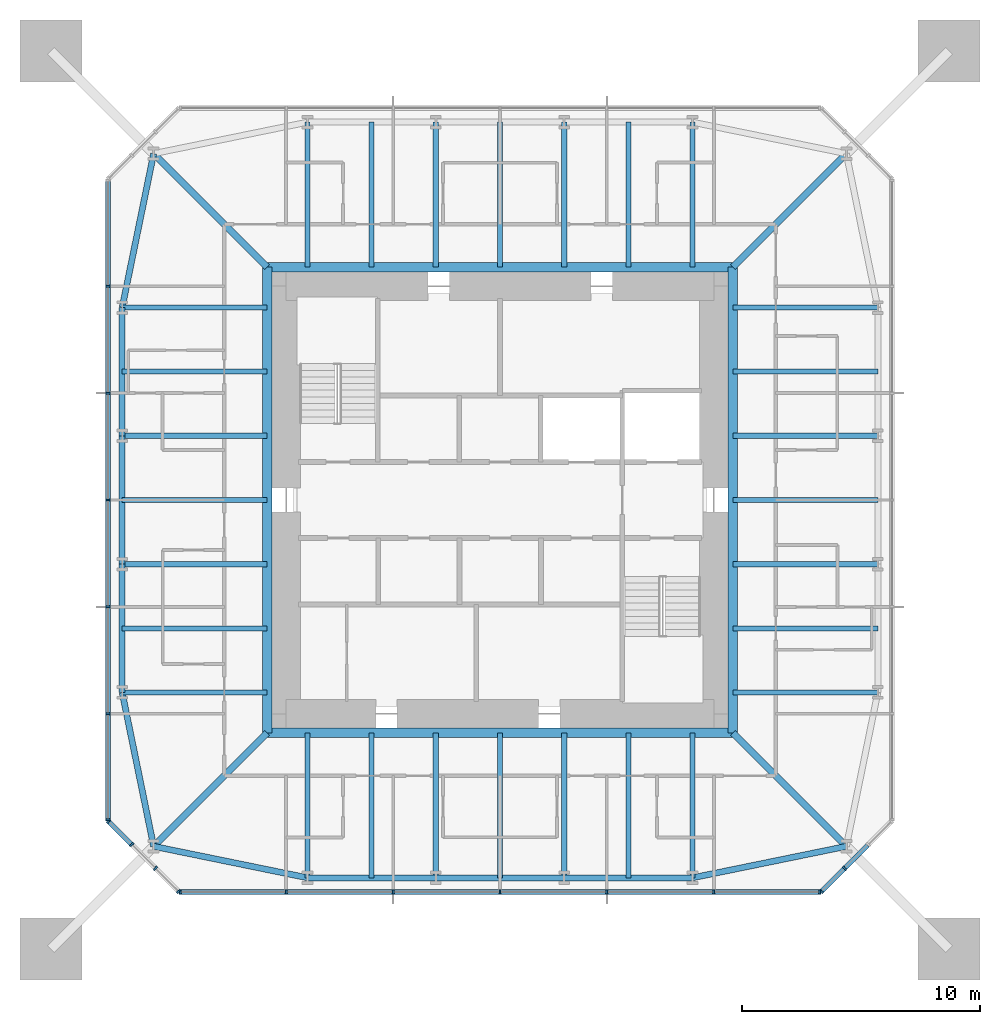
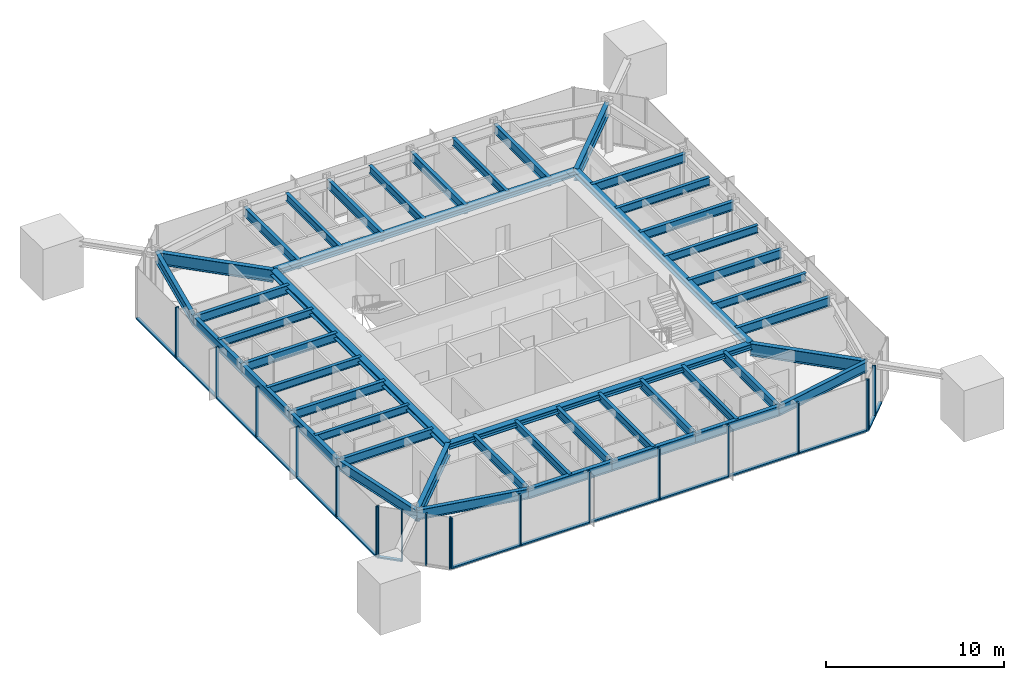
# One storey, part 2 of 10: 46 beams, 34 members, 4 elements without a shape of their own.
"""IFC4 building model written with IfcOpenShell, lengths in metres."""

from ifc_helpers import new_model, si_unit, direction, frame, origin, origin_2d, place, context, subcontext, project, spatial, rectangle, i_section, extrude, material, material_profile, profile_set, type_object, element, aggregate, save


model = new_model("IFC4")

# Units and contexts
model_context = context("Model", 3, precision=1e-05, world=origin(), true_north=direction((0.0, 1.0)))
body_context = subcontext(model_context, "Body", "Model", "MODEL_VIEW")
ifc_project = project(units=[si_unit("LENGTHUNIT", "METRE"), si_unit("AREAUNIT", "SQUARE_METRE"), si_unit("VOLUMEUNIT", "CUBIC_METRE"), si_unit("PLANEANGLEUNIT", "RADIAN"), si_unit("MASSUNIT", "GRAM", prefix="KILO")], contexts=[model_context])

# Site, building, storey
site_placement = place(None, origin())
site = spatial("IfcSite", under=ifc_project, at=site_placement, CompositionType="ELEMENT")
building_placement = place(site_placement, origin())
building = spatial("IfcBuilding", under=site, at=building_placement, Name="Iwan Alto Co-Living Towers", CompositionType="ELEMENT")
storey_placement = place(building_placement, frame((0.0, 0.0, 225.5)))
storey = spatial("IfcBuildingStorey", under=building, at=storey_placement, Name="L61", CompositionType="ELEMENT", Elevation=225.5)

# Curtain wall, members
ifc_material_1 = material(Name="Bronze aluminium unitised frame", Category="aluminium")
curtain_wall_type_1 = type_object("IfcCurtainWallType", Name="CURTAIN WALL CW-A", PredefinedType="NOTDEFINED", material=ifc_material_1)
curtain_wall_1_placement = place(storey_placement, origin())
curtain_wall_1 = element("IfcCurtainWall", 1, at=curtain_wall_1_placement, inside=storey, type_object=curtain_wall_type_1, Name="T1 curtain wall S L61", PredefinedType="NOTDEFINED")
ifc_material_2 = material(Name="Aluminium 6063-T6 bronze anodised", Category="aluminium")
ifc_material_profile_1 = material_profile(ifc_material_2, rectangle(XDim=0.199951171875, YDim=0.080078125, at=origin_2d()), Name="AL 80X200")
ifc_profile_set_1 = profile_set([ifc_material_profile_1], Name="Aluminium 6063-T6 bronze anodised")
member_type_1 = type_object("IfcMemberType", Name="CW-A MULLION 80X200", PredefinedType="MULLION", material=ifc_profile_set_1)
member_1_placement = place(storey_placement, frame((-13.4599609375, -16.5, 0.0), z_axis=(0.0, 0.0, 1.0), x_axis=(0.0, 1.0, 0.0)))
member_1 = element("IfcMember", 2, at=member_1_placement, type_object=member_type_1, Name="CW-A mullion 1", PredefinedType="MULLION", context=body_context, shape_type="SweptSolid", body=[
    extrude(rectangle(XDim=0.199951171875, YDim=0.080078125, at=origin_2d()), origin(), (0.0, 0.0, 1.0), 3.5),
])
member_2_placement = place(storey_placement, frame((-9.0, -16.5, 0.0), z_axis=(0.0, 0.0, 1.0), x_axis=(0.0, 1.0, 0.0)))
member_2 = element("IfcMember", 3, at=member_2_placement, type_object=member_type_1, Name="CW-A mullion 2", PredefinedType="MULLION", context=body_context, shape_type="SweptSolid", body=[
    extrude(rectangle(XDim=0.199951171875, YDim=0.080078125, at=origin_2d()), origin(), (0.0, 0.0, 1.0), 3.5),
])
member_3_placement = place(storey_placement, frame((-4.5, -16.5, 0.0), z_axis=(0.0, 0.0, 1.0), x_axis=(0.0, 1.0, 0.0)))
member_3 = element("IfcMember", 4, at=member_3_placement, type_object=member_type_1, Name="CW-A mullion 3", PredefinedType="MULLION", context=body_context, shape_type="SweptSolid", body=[
    extrude(rectangle(XDim=0.199951171875, YDim=0.080078125, at=origin_2d()), origin(), (0.0, 0.0, 1.0), 3.5),
])
member_4_placement = place(storey_placement, frame((0.0, -16.5, 0.0), z_axis=(0.0, 0.0, 1.0), x_axis=(0.0, 1.0, 0.0)))
member_4 = element("IfcMember", 5, at=member_4_placement, type_object=member_type_1, Name="CW-A mullion 4", PredefinedType="MULLION", context=body_context, shape_type="SweptSolid", body=[
    extrude(rectangle(XDim=0.199951171875, YDim=0.080078125, at=origin_2d()), origin(), (0.0, 0.0, 1.0), 3.5),
])
member_5_placement = place(storey_placement, frame((4.5, -16.5, 0.0), z_axis=(0.0, 0.0, 1.0), x_axis=(0.0, 1.0, 0.0)))
member_5 = element("IfcMember", 6, at=member_5_placement, type_object=member_type_1, Name="CW-A mullion 5", PredefinedType="MULLION", context=body_context, shape_type="SweptSolid", body=[
    extrude(rectangle(XDim=0.199951171875, YDim=0.080078125, at=origin_2d()), origin(), (0.0, 0.0, 1.0), 3.5),
])
member_6_placement = place(storey_placement, frame((9.0, -16.5, 0.0), z_axis=(0.0, 0.0, 1.0), x_axis=(0.0, 1.0, 0.0)))
member_6 = element("IfcMember", 7, at=member_6_placement, type_object=member_type_1, Name="CW-A mullion 6", PredefinedType="MULLION", context=body_context, shape_type="SweptSolid", body=[
    extrude(rectangle(XDim=0.199951171875, YDim=0.080078125, at=origin_2d()), origin(), (0.0, 0.0, 1.0), 3.5),
])
member_7_placement = place(storey_placement, frame((13.4599609375, -16.5, 0.0), z_axis=(0.0, 0.0, 1.0), x_axis=(0.0, 1.0, 0.0)))
member_7 = element("IfcMember", 8, at=member_7_placement, type_object=member_type_1, Name="CW-A mullion 7", PredefinedType="MULLION", context=body_context, shape_type="SweptSolid", body=[
    extrude(rectangle(XDim=0.199951171875, YDim=0.080078125, at=origin_2d()), origin(), (0.0, 0.0, 1.0), 3.5),
])

curtain_wall_2_placement = place(storey_placement, origin())
curtain_wall_2 = element("IfcCurtainWall", 9, at=curtain_wall_2_placement, inside=storey, type_object=curtain_wall_type_1, Name="T1 curtain wall W L61", PredefinedType="NOTDEFINED")
member_8_placement = place(storey_placement, frame((-16.5, 9.0, 0.0), z_axis=(0.0, 0.0, 1.0), x_axis=(1.0, 0.0, 0.0)))
member_8 = element("IfcMember", 10, at=member_8_placement, type_object=member_type_1, Name="CW-A mullion 2", PredefinedType="MULLION", context=body_context, shape_type="SweptSolid", body=[
    extrude(rectangle(XDim=0.199951171875, YDim=0.080078125, at=origin_2d()), origin(), (0.0, 0.0, 1.0), 3.5),
])
member_9_placement = place(storey_placement, frame((-16.5, 4.5, 0.0), z_axis=(0.0, 0.0, 1.0), x_axis=(1.0, 0.0, 0.0)))
member_9 = element("IfcMember", 11, at=member_9_placement, type_object=member_type_1, Name="CW-A mullion 3", PredefinedType="MULLION", context=body_context, shape_type="SweptSolid", body=[
    extrude(rectangle(XDim=0.199951171875, YDim=0.080078125, at=origin_2d()), origin(), (0.0, 0.0, 1.0), 3.5),
])
member_10_placement = place(storey_placement, frame((-16.5, 0.0, 0.0), z_axis=(0.0, 0.0, 1.0), x_axis=(1.0, 0.0, 0.0)))
member_10 = element("IfcMember", 12, at=member_10_placement, type_object=member_type_1, Name="CW-A mullion 4", PredefinedType="MULLION", context=body_context, shape_type="SweptSolid", body=[
    extrude(rectangle(XDim=0.199951171875, YDim=0.080078125, at=origin_2d()), origin(), (0.0, 0.0, 1.0), 3.5),
])
member_11_placement = place(storey_placement, frame((-16.5, -4.5, 0.0), z_axis=(0.0, 0.0, 1.0), x_axis=(1.0, 0.0, 0.0)))
member_11 = element("IfcMember", 13, at=member_11_placement, type_object=member_type_1, Name="CW-A mullion 5", PredefinedType="MULLION", context=body_context, shape_type="SweptSolid", body=[
    extrude(rectangle(XDim=0.199951171875, YDim=0.080078125, at=origin_2d()), origin(), (0.0, 0.0, 1.0), 3.5),
])
member_12_placement = place(storey_placement, frame((-16.5, -9.0, 0.0), z_axis=(0.0, 0.0, 1.0), x_axis=(1.0, 0.0, 0.0)))
member_12 = element("IfcMember", 14, at=member_12_placement, type_object=member_type_1, Name="CW-A mullion 6", PredefinedType="MULLION", context=body_context, shape_type="SweptSolid", body=[
    extrude(rectangle(XDim=0.199951171875, YDim=0.080078125, at=origin_2d()), origin(), (0.0, 0.0, 1.0), 3.5),
])
member_13_placement = place(storey_placement, frame((-16.5, -13.4599609375, 0.0), z_axis=(0.0, 0.0, 1.0), x_axis=(1.0, 0.0, 0.0)))
member_13 = element("IfcMember", 15, at=member_13_placement, type_object=member_type_1, Name="CW-A mullion 7", PredefinedType="MULLION", context=body_context, shape_type="SweptSolid", body=[
    extrude(rectangle(XDim=0.199951171875, YDim=0.080078125, at=origin_2d()), origin(), (0.0, 0.0, 1.0), 3.5),
])

# Member
ifc_material_3 = material(Name="Aluminium 6063-T6 bronze anodised", Category="aluminium")
ifc_material_profile_2 = material_profile(ifc_material_3, rectangle(XDim=0.199951171875, YDim=0.10009765625, at=origin_2d()), Name="AL 200X100")
ifc_profile_set_2 = profile_set([ifc_material_profile_2], Name="Aluminium 6063-T6 bronze anodised")
member_type_2 = type_object("IfcMemberType", Name="CW-A TRANSOM 200X100", PredefinedType="USERDEFINED", material=ifc_profile_set_2)
member_14_placement = place(storey_placement, frame((-13.419921875, -16.5, 0.050048828125), z_axis=(1.0, 0.0, 0.0), x_axis=(0.0, 1.0, 0.0)))
member_14 = element("IfcMember", 16, at=member_14_placement, type_object=member_type_2, Name="CW-A transom 1.1", ObjectType="TRANSOM", PredefinedType="USERDEFINED", context=body_context, shape_type="SweptSolid", body=[
    extrude(rectangle(XDim=0.199951171875, YDim=0.10009765625, at=origin_2d()), origin(), (0.0, 0.0, 1.0), 4.3798828125),
])

member_15_placement = place(storey_placement, frame((-8.9599609375, -16.5, 0.050048828125), z_axis=(1.0, 0.0, 0.0), x_axis=(0.0, 1.0, 0.0)))
member_15 = element("IfcMember", 17, at=member_15_placement, type_object=member_type_2, Name="CW-A transom 2.1", ObjectType="TRANSOM", PredefinedType="USERDEFINED", context=body_context, shape_type="SweptSolid", body=[
    extrude(rectangle(XDim=0.199951171875, YDim=0.10009765625, at=origin_2d()), origin(), (0.0, 0.0, 1.0), 4.419921875),
])

member_16_placement = place(storey_placement, frame((-4.4599609375, -16.5, 0.050048828125), z_axis=(1.0, 0.0, 0.0), x_axis=(0.0, 1.0, 0.0)))
member_16 = element("IfcMember", 18, at=member_16_placement, type_object=member_type_2, Name="CW-A transom 3.1", ObjectType="TRANSOM", PredefinedType="USERDEFINED", context=body_context, shape_type="SweptSolid", body=[
    extrude(rectangle(XDim=0.199951171875, YDim=0.10009765625, at=origin_2d()), origin(), (0.0, 0.0, 1.0), 4.419921875),
])

member_17_placement = place(storey_placement, frame((0.0400390625, -16.5, 0.050048828125), z_axis=(1.0, 0.0, 0.0), x_axis=(0.0, 1.0, 0.0)))
member_17 = element("IfcMember", 19, at=member_17_placement, type_object=member_type_2, Name="CW-A transom 4.1", ObjectType="TRANSOM", PredefinedType="USERDEFINED", context=body_context, shape_type="SweptSolid", body=[
    extrude(rectangle(XDim=0.199951171875, YDim=0.10009765625, at=origin_2d()), origin(), (0.0, 0.0, 1.0), 4.419921875),
])

member_18_placement = place(storey_placement, frame((4.5400390625, -16.5, 0.050048828125), z_axis=(1.0, 0.0, 0.0), x_axis=(0.0, 1.0, 0.0)))
member_18 = element("IfcMember", 20, at=member_18_placement, type_object=member_type_2, Name="CW-A transom 5.1", ObjectType="TRANSOM", PredefinedType="USERDEFINED", context=body_context, shape_type="SweptSolid", body=[
    extrude(rectangle(XDim=0.199951171875, YDim=0.10009765625, at=origin_2d()), origin(), (0.0, 0.0, 1.0), 4.419921875),
])

member_19_placement = place(storey_placement, frame((9.0400390625, -16.5, 0.050048828125), z_axis=(1.0, 0.0, 0.0), x_axis=(0.0, 1.0, 0.0)))
member_19 = element("IfcMember", 21, at=member_19_placement, type_object=member_type_2, Name="CW-A transom 6.1", ObjectType="TRANSOM", PredefinedType="USERDEFINED", context=body_context, shape_type="SweptSolid", body=[
    extrude(rectangle(XDim=0.199951171875, YDim=0.10009765625, at=origin_2d()), origin(), (0.0, 0.0, 1.0), 4.3798828125),
])

aggregate(curtain_wall_1, [member_1, member_2, member_3, member_4, member_5, member_6, member_7, member_14, member_15, member_16, member_17, member_18, member_19])

member_20_placement = place(storey_placement, frame((-16.5, 13.419921875, 0.050048828125), z_axis=(0.0, -1.0, 0.0), x_axis=(1.0, 0.0, 0.0)))
member_20 = element("IfcMember", 22, at=member_20_placement, type_object=member_type_2, Name="CW-A transom 1.1", ObjectType="TRANSOM", PredefinedType="USERDEFINED", context=body_context, shape_type="SweptSolid", body=[
    extrude(rectangle(XDim=0.199951171875, YDim=0.10009765625, at=origin_2d()), origin(), (0.0, 0.0, 1.0), 4.3798828125),
])

member_21_placement = place(storey_placement, frame((-16.5, 8.9599609375, 0.050048828125), z_axis=(0.0, -1.0, 0.0), x_axis=(1.0, 0.0, 0.0)))
member_21 = element("IfcMember", 23, at=member_21_placement, type_object=member_type_2, Name="CW-A transom 2.1", ObjectType="TRANSOM", PredefinedType="USERDEFINED", context=body_context, shape_type="SweptSolid", body=[
    extrude(rectangle(XDim=0.199951171875, YDim=0.10009765625, at=origin_2d()), origin(), (0.0, 0.0, 1.0), 4.419921875),
])

member_22_placement = place(storey_placement, frame((-16.5, 4.4599609375, 0.050048828125), z_axis=(0.0, -1.0, 0.0), x_axis=(1.0, 0.0, 0.0)))
member_22 = element("IfcMember", 24, at=member_22_placement, type_object=member_type_2, Name="CW-A transom 3.1", ObjectType="TRANSOM", PredefinedType="USERDEFINED", context=body_context, shape_type="SweptSolid", body=[
    extrude(rectangle(XDim=0.199951171875, YDim=0.10009765625, at=origin_2d()), origin(), (0.0, 0.0, 1.0), 4.419921875),
])

member_23_placement = place(storey_placement, frame((-16.5, -0.0400390625, 0.050048828125), z_axis=(0.0, -1.0, 0.0), x_axis=(1.0, 0.0, 0.0)))
member_23 = element("IfcMember", 25, at=member_23_placement, type_object=member_type_2, Name="CW-A transom 4.1", ObjectType="TRANSOM", PredefinedType="USERDEFINED", context=body_context, shape_type="SweptSolid", body=[
    extrude(rectangle(XDim=0.199951171875, YDim=0.10009765625, at=origin_2d()), origin(), (0.0, 0.0, 1.0), 4.419921875),
])

member_24_placement = place(storey_placement, frame((-16.5, -4.5400390625, 0.050048828125), z_axis=(0.0, -1.0, 0.0), x_axis=(1.0, 0.0, 0.0)))
member_24 = element("IfcMember", 26, at=member_24_placement, type_object=member_type_2, Name="CW-A transom 5.1", ObjectType="TRANSOM", PredefinedType="USERDEFINED", context=body_context, shape_type="SweptSolid", body=[
    extrude(rectangle(XDim=0.199951171875, YDim=0.10009765625, at=origin_2d()), origin(), (0.0, 0.0, 1.0), 4.419921875),
])

member_25_placement = place(storey_placement, frame((-16.5, -9.0400390625, 0.050048828125), z_axis=(0.0, -1.0, 0.0), x_axis=(1.0, 0.0, 0.0)))
member_25 = element("IfcMember", 27, at=member_25_placement, type_object=member_type_2, Name="CW-A transom 6.1", ObjectType="TRANSOM", PredefinedType="USERDEFINED", context=body_context, shape_type="SweptSolid", body=[
    extrude(rectangle(XDim=0.199951171875, YDim=0.10009765625, at=origin_2d()), origin(), (0.0, 0.0, 1.0), 4.3798828125),
])

aggregate(curtain_wall_2, [member_8, member_9, member_10, member_11, member_12, member_13, member_20, member_21, member_22, member_23, member_24, member_25])

# Curtain wall, members
ifc_material_4 = material(Name="Bronze aluminium unitised frame", Category="aluminium")
curtain_wall_type_2 = type_object("IfcCurtainWallType", Name="CURTAIN WALL CW-B", PredefinedType="NOTDEFINED", material=ifc_material_4)
curtain_wall_3_placement = place(storey_placement, origin())
curtain_wall_3 = element("IfcCurtainWall", 28, at=curtain_wall_3_placement, inside=storey, type_object=curtain_wall_type_2, Name="T1 chamfer curtain wall SE L61", PredefinedType="NOTDEFINED")
ifc_material_5 = material(Name="Aluminium 6063-T6 bronze anodised", Category="aluminium")
ifc_material_profile_3 = material_profile(ifc_material_5, rectangle(XDim=0.199951171875, YDim=0.080078125, at=origin_2d()), Name="AL 80X200")
ifc_profile_set_3 = profile_set([ifc_material_profile_3], Name="Aluminium 6063-T6 bronze anodised")
member_type_3 = type_object("IfcMemberType", Name="CW-B MULLION 80X200", PredefinedType="MULLION", material=ifc_profile_set_3)
member_26_placement = place(storey_placement, frame((13.5283203125, -16.4716796875, 0.0), z_axis=(0.0, 0.0, 1.0), x_axis=(-0.707106781187, 0.707106781187, 0.0)))
member_26 = element("IfcMember", 29, at=member_26_placement, type_object=member_type_3, Name="CW-B mullion 1", PredefinedType="MULLION", context=body_context, shape_type="SweptSolid", body=[
    extrude(rectangle(XDim=0.199951171875, YDim=0.080078125, at=origin_2d()), origin(), (0.0, 0.0, 1.0), 3.5),
])
member_27_placement = place(storey_placement, frame((14.5, -15.5, 0.0), z_axis=(0.0, 0.0, 1.0), x_axis=(-0.707106781187, 0.707106781187, 0.0)))
member_27 = element("IfcMember", 30, at=member_27_placement, type_object=member_type_3, Name="CW-B mullion 2", PredefinedType="MULLION", context=body_context, shape_type="SweptSolid", body=[
    extrude(rectangle(XDim=0.199951171875, YDim=0.080078125, at=origin_2d()), origin(), (0.0, 0.0, 1.0), 3.5),
])

curtain_wall_4_placement = place(storey_placement, origin())
curtain_wall_4 = element("IfcCurtainWall", 31, at=curtain_wall_4_placement, inside=storey, type_object=curtain_wall_type_2, Name="T1 chamfer curtain wall SW L61", PredefinedType="NOTDEFINED")
member_28_placement = place(storey_placement, frame((-16.4716796875, -13.5283203125, 0.0), z_axis=(0.0, 0.0, 1.0), x_axis=(0.707106781187, 0.707106781187, 0.0)))
member_28 = element("IfcMember", 32, at=member_28_placement, type_object=member_type_3, Name="CW-B mullion 1", PredefinedType="MULLION", context=body_context, shape_type="SweptSolid", body=[
    extrude(rectangle(XDim=0.199951171875, YDim=0.080078125, at=origin_2d()), origin(), (0.0, 0.0, 1.0), 3.5),
])
member_29_placement = place(storey_placement, frame((-15.5, -14.5, 0.0), z_axis=(0.0, 0.0, 1.0), x_axis=(0.707106781187, 0.707106781187, 0.0)))
member_29 = element("IfcMember", 33, at=member_29_placement, type_object=member_type_3, Name="CW-B mullion 2", PredefinedType="MULLION", context=body_context, shape_type="SweptSolid", body=[
    extrude(rectangle(XDim=0.199951171875, YDim=0.080078125, at=origin_2d()), origin(), (0.0, 0.0, 1.0), 3.5),
])
member_30_placement = place(storey_placement, frame((-14.5, -15.5, 0.0), z_axis=(0.0, 0.0, 1.0), x_axis=(0.707106781187, 0.707106781187, 0.0)))
member_30 = element("IfcMember", 34, at=member_30_placement, type_object=member_type_3, Name="CW-B mullion 3", PredefinedType="MULLION", context=body_context, shape_type="SweptSolid", body=[
    extrude(rectangle(XDim=0.199951171875, YDim=0.080078125, at=origin_2d()), origin(), (0.0, 0.0, 1.0), 3.5),
])
member_31_placement = place(storey_placement, frame((-13.5283203125, -16.4716796875, 0.0), z_axis=(0.0, 0.0, 1.0), x_axis=(0.707106781187, 0.707106781187, 0.0)))
member_31 = element("IfcMember", 35, at=member_31_placement, type_object=member_type_3, Name="CW-B mullion 4", PredefinedType="MULLION", context=body_context, shape_type="SweptSolid", body=[
    extrude(rectangle(XDim=0.199951171875, YDim=0.080078125, at=origin_2d()), origin(), (0.0, 0.0, 1.0), 3.5),
])

# Member
ifc_material_6 = material(Name="Aluminium 6063-T6 bronze anodised", Category="aluminium")
ifc_material_profile_4 = material_profile(ifc_material_6, rectangle(XDim=0.199951171875, YDim=0.10009765625, at=origin_2d()), Name="AL 200X100")
ifc_profile_set_4 = profile_set([ifc_material_profile_4], Name="Aluminium 6063-T6 bronze anodised")
member_type_4 = type_object("IfcMemberType", Name="CW-B TRANSOM 200X100", PredefinedType="USERDEFINED", material=ifc_profile_set_4)
member_32_placement = place(storey_placement, frame((13.556640625, -16.443359375, 0.050048828125), z_axis=(0.707106781187, 0.707106781187, 0.0), x_axis=(-0.707106781187, 0.707106781187, 0.0)))
member_32 = element("IfcMember", 36, at=member_32_placement, type_object=member_type_4, Name="CW-B transom 1.1", ObjectType="TRANSOM", PredefinedType="USERDEFINED", context=body_context, shape_type="SweptSolid", body=[
    extrude(rectangle(XDim=0.199951171875, YDim=0.10009765625, at=origin_2d()), origin(), (0.0, 0.0, 1.0), 1.2939453125),
])

member_33_placement = place(storey_placement, frame((14.5283203125, -15.4716796875, 0.050048828125), z_axis=(0.707106781187, 0.707106781187, 0.0), x_axis=(-0.707106781187, 0.707106781187, 0.0)))
member_33 = element("IfcMember", 37, at=member_33_placement, type_object=member_type_4, Name="CW-B transom 2.1", ObjectType="TRANSOM", PredefinedType="USERDEFINED", context=body_context, shape_type="SweptSolid", body=[
    extrude(rectangle(XDim=0.199951171875, YDim=0.10009765625, at=origin_2d()), origin(), (0.0, 0.0, 1.0), 1.334228515625),
])

aggregate(curtain_wall_3, [member_26, member_27, member_32, member_33])

member_34_placement = place(storey_placement, frame((-16.443359375, -13.556640625, 0.050048828125), z_axis=(0.707106781187, -0.707106781187, 0.0), x_axis=(0.707106781187, 0.707106781187, 0.0)))
member_34 = element("IfcMember", 38, at=member_34_placement, type_object=member_type_4, Name="CW-B transom 1.1", ObjectType="TRANSOM", PredefinedType="USERDEFINED", context=body_context, shape_type="SweptSolid", body=[
    extrude(rectangle(XDim=0.199951171875, YDim=0.10009765625, at=origin_2d()), origin(), (0.0, 0.0, 1.0), 1.2939453125),
])

aggregate(curtain_wall_4, [member_28, member_29, member_30, member_31, member_34])

# Beams
ifc_material_7 = material(Name="Steel ASTM A992 Gr 50", Category="steel")
ifc_material_profile_5 = material_profile(ifc_material_7, i_section(OverallWidth=0.398681640625, OverallDepth=0.385986328125, WebThickness=0.02099609375, FlangeThickness=0.033203125, at=origin_2d()), Name="W14X176")
ifc_profile_set_5 = profile_set([ifc_material_profile_5], Name="Steel ASTM A992 Gr 50")
beam_type_1 = type_object("IfcBeamType", Name="T1 CORE LEDGER BEAM W14X176", PredefinedType="BEAM", material=ifc_profile_set_5)
for number, where, z_axis, x_axis, name in (
    (39, (-9.79931640625, -9.79931640625, 3.076904296875), (1.0, 0.0, 0.0), (0.0, 1.0, 0.0), "T1 core ledger beam S L62"),
    (40, (9.79931640625, -9.79931640625, 3.076904296875), (0.0, 1.0, 0.0), (-1.0, 0.0, 0.0), "T1 core ledger beam E L62"),
    (41, (9.79931640625, 9.79931640625, 3.076904296875), (-1.0, 0.0, 0.0), (0.0, -1.0, 0.0), "T1 core ledger beam N L62"),
    (42, (-9.79931640625, 9.79931640625, 3.076904296875), (0.0, -1.0, 0.0), (1.0, 0.0, 0.0), "T1 core ledger beam W L62"),
):
    element("IfcBeam", number, at=place(storey_placement, frame(where, z_axis=z_axis, x_axis=x_axis)), inside=storey, type_object=beam_type_1, Name=name, PredefinedType="BEAM", context=body_context, shape_type="SweptSolid", body=[
        extrude(i_section(OverallWidth=0.398681640625, OverallDepth=0.385986328125, WebThickness=0.02099609375, FlangeThickness=0.033203125, at=origin_2d()), origin(), (0.0, 0.0, 1.0), 19.5986328125),
    ])
ifc_material_8 = material(Name="Steel ASTM A992 Gr 50", Category="steel")
ifc_material_profile_6 = material_profile(ifc_material_8, i_section(OverallWidth=0.2919921875, OverallDepth=0.8408203125, WebThickness=0.0146484375, FlangeThickness=0.021728515625, at=origin_2d()), Name="W33X130")
ifc_profile_set_6 = profile_set([ifc_material_profile_6], Name="Steel ASTM A992 Gr 50")
beam_type_2 = type_object("IfcBeamType", Name="T1 CORNER GIRDER W33X130", PredefinedType="BEAM", material=ifc_profile_set_6)
for number, where, z_axis, x_axis, name in (
    (43, (-14.57568359375, -14.57568359375, 2.849609375), (0.707106781187, 0.707106781187, 0.0), (-0.707106781187, 0.707106781187, 0.0), "T1 corner girder CSW L62"),
    (44, (14.57568359375, -14.57568359375, 2.849609375), (-0.707106781187, 0.707106781187, 0.0), (-0.707106781187, -0.707106781187, 0.0), "T1 corner girder CSE L62"),
    (45, (14.57568359375, 14.57568359375, 2.849609375), (-0.707106781187, -0.707106781187, 0.0), (0.707106781187, -0.707106781187, 0.0), "T1 corner girder CNE L62"),
    (46, (-14.57568359375, 14.57568359375, 2.849609375), (0.707106781187, -0.707106781187, 0.0), (0.707106781187, 0.707106781187, 0.0), "T1 corner girder CNW L62"),
):
    element("IfcBeam", number, at=place(storey_placement, frame(where, z_axis=z_axis, x_axis=x_axis)), inside=storey, type_object=beam_type_2, Name=name, PredefinedType="BEAM", context=body_context, shape_type="SweptSolid", body=[
        extrude(i_section(OverallWidth=0.2919921875, OverallDepth=0.8408203125, WebThickness=0.0146484375, FlangeThickness=0.021728515625, at=origin_2d()), origin(), (0.0, 0.0, 1.0), 6.7548828125),
    ])
ifc_material_9 = material(Name="Steel ASTM A992 Gr 50", Category="steel")
ifc_material_profile_7 = material_profile(ifc_material_9, i_section(OverallWidth=0.25390625, OverallDepth=0.683349609375, WebThickness=0.012451171875, FlangeThickness=0.018798828125, at=origin_2d()), Name="W27X94")
ifc_profile_set_7 = profile_set([ifc_material_profile_7], Name="Steel ASTM A992 Gr 50")
beam_type_3 = type_object("IfcBeamType", Name="T1 EDGE BEAM W27X94", PredefinedType="BEAM", material=ifc_profile_set_7)
beam_1_placement = place(storey_placement, frame((-14.57568359375, -14.57568359375, 2.928466796875), z_axis=(0.979724820103, -0.200347889618, 0.0), x_axis=(0.200347889618, 0.979724820103, 0.0)))
element("IfcBeam", 47, at=beam_1_placement, inside=storey, type_object=beam_type_3, Name="T1 edge beam CSW L62", PredefinedType="BEAM", context=body_context, shape_type="SweptSolid", body=[
    extrude(i_section(OverallWidth=0.25390625, OverallDepth=0.683349609375, WebThickness=0.012451171875, FlangeThickness=0.018798828125, at=origin_2d()), origin(), (0.0, 0.0, 1.0), 6.609619140625),
])
beam_2_placement = place(storey_placement, frame((-8.10009765625, -15.89990234375, 2.928466796875), z_axis=(1.0, 0.0, 0.0), x_axis=(0.0, 1.0, 0.0)))
element("IfcBeam", 48, at=beam_2_placement, inside=storey, type_object=beam_type_3, Name="T1 edge beam S1 L62", PredefinedType="BEAM", context=body_context, shape_type="SweptSolid", body=[
    extrude(i_section(OverallWidth=0.25390625, OverallDepth=0.683349609375, WebThickness=0.012451171875, FlangeThickness=0.018798828125, at=origin_2d()), origin(), (0.0, 0.0, 1.0), 5.400146484375),
])
beam_3_placement = place(storey_placement, frame((-2.699951171875, -15.89990234375, 2.928466796875), z_axis=(1.0, 0.0, 0.0), x_axis=(0.0, 1.0, 0.0)))
element("IfcBeam", 49, at=beam_3_placement, inside=storey, type_object=beam_type_3, Name="T1 edge beam S2 L62", PredefinedType="BEAM", context=body_context, shape_type="SweptSolid", body=[
    extrude(i_section(OverallWidth=0.25390625, OverallDepth=0.683349609375, WebThickness=0.012451171875, FlangeThickness=0.018798828125, at=origin_2d()), origin(), (0.0, 0.0, 1.0), 5.39990234375),
])
beam_4_placement = place(storey_placement, frame((2.699951171875, -15.89990234375, 2.928466796875), z_axis=(1.0, 0.0, 0.0), x_axis=(0.0, 1.0, 0.0)))
element("IfcBeam", 50, at=beam_4_placement, inside=storey, type_object=beam_type_3, Name="T1 edge beam S3 L62", PredefinedType="BEAM", context=body_context, shape_type="SweptSolid", body=[
    extrude(i_section(OverallWidth=0.25390625, OverallDepth=0.683349609375, WebThickness=0.012451171875, FlangeThickness=0.018798828125, at=origin_2d()), origin(), (0.0, 0.0, 1.0), 5.400146484375),
])
for number, where, z_axis, x_axis, name in (
    (51, (8.10009765625, -15.89990234375, 2.928466796875), (0.979724820103, 0.200347889618, 0.0), (-0.200347889618, 0.979724820103, 0.0), "T1 edge beam S4 L62"),
    (52, (-14.57568359375, 14.57568359375, 2.928466796875), (-0.200347889618, -0.979724820103, 0.0), (0.979724820103, -0.200347889618, 0.0), "T1 edge beam CNW L62"),
):
    element("IfcBeam", number, at=place(storey_placement, frame(where, z_axis=z_axis, x_axis=x_axis)), inside=storey, type_object=beam_type_3, Name=name, PredefinedType="BEAM", context=body_context, shape_type="SweptSolid", body=[
        extrude(i_section(OverallWidth=0.25390625, OverallDepth=0.683349609375, WebThickness=0.012451171875, FlangeThickness=0.018798828125, at=origin_2d()), origin(), (0.0, 0.0, 1.0), 6.609619140625),
    ])
beam_5_placement = place(storey_placement, frame((-15.89990234375, 8.10009765625, 2.928466796875), z_axis=(0.0, -1.0, 0.0), x_axis=(1.0, 0.0, 0.0)))
element("IfcBeam", 53, at=beam_5_placement, inside=storey, type_object=beam_type_3, Name="T1 edge beam W1 L62", PredefinedType="BEAM", context=body_context, shape_type="SweptSolid", body=[
    extrude(i_section(OverallWidth=0.25390625, OverallDepth=0.683349609375, WebThickness=0.012451171875, FlangeThickness=0.018798828125, at=origin_2d()), origin(), (0.0, 0.0, 1.0), 5.400146484375),
])
beam_6_placement = place(storey_placement, frame((-15.89990234375, 2.699951171875, 2.928466796875), z_axis=(0.0, -1.0, 0.0), x_axis=(1.0, 0.0, 0.0)))
element("IfcBeam", 54, at=beam_6_placement, inside=storey, type_object=beam_type_3, Name="T1 edge beam W2 L62", PredefinedType="BEAM", context=body_context, shape_type="SweptSolid", body=[
    extrude(i_section(OverallWidth=0.25390625, OverallDepth=0.683349609375, WebThickness=0.012451171875, FlangeThickness=0.018798828125, at=origin_2d()), origin(), (0.0, 0.0, 1.0), 5.39990234375),
])
beam_7_placement = place(storey_placement, frame((-15.89990234375, -2.699951171875, 2.928466796875), z_axis=(0.0, -1.0, 0.0), x_axis=(1.0, 0.0, 0.0)))
element("IfcBeam", 55, at=beam_7_placement, inside=storey, type_object=beam_type_3, Name="T1 edge beam W3 L62", PredefinedType="BEAM", context=body_context, shape_type="SweptSolid", body=[
    extrude(i_section(OverallWidth=0.25390625, OverallDepth=0.683349609375, WebThickness=0.012451171875, FlangeThickness=0.018798828125, at=origin_2d()), origin(), (0.0, 0.0, 1.0), 5.400146484375),
])
beam_8_placement = place(storey_placement, frame((-15.89990234375, -8.10009765625, 2.928466796875), z_axis=(0.200347889618, -0.979724820103, 0.0), x_axis=(0.979724820103, 0.200347889618, 0.0)))
element("IfcBeam", 56, at=beam_8_placement, inside=storey, type_object=beam_type_3, Name="T1 edge beam W4 L62", PredefinedType="BEAM", context=body_context, shape_type="SweptSolid", body=[
    extrude(i_section(OverallWidth=0.25390625, OverallDepth=0.683349609375, WebThickness=0.012451171875, FlangeThickness=0.018798828125, at=origin_2d()), origin(), (0.0, 0.0, 1.0), 6.609619140625),
])
ifc_material_10 = material(Name="Steel ASTM A992 Gr 50", Category="steel")
ifc_material_profile_8 = material_profile(ifc_material_10, i_section(OverallWidth=0.228271484375, OverallDepth=0.607177734375, WebThickness=0.01123046875, FlangeThickness=0.017333984375, at=origin_2d()), Name="W24X76")
ifc_profile_set_8 = profile_set([ifc_material_profile_8], Name="Steel ASTM A992 Gr 50")
beam_type_4 = type_object("IfcBeamType", Name="T1 RADIAL BEAM W24X76", PredefinedType="BEAM", material=ifc_profile_set_8)
for number, where, z_axis, x_axis, name in (
    (57, (-8.10009765625, -15.89990234375, 2.966552734375), (0.0, 1.0, 0.0), (-1.0, 0.0, 0.0), "T1 radial beam S1 L62"),
    (58, (-2.699951171875, -15.89990234375, 2.966552734375), (0.0, 1.0, 0.0), (-1.0, 0.0, 0.0), "T1 radial beam S2 L62"),
    (59, (2.699951171875, -15.89990234375, 2.966552734375), (0.0, 1.0, 0.0), (-1.0, 0.0, 0.0), "T1 radial beam S3 L62"),
    (60, (8.10009765625, -15.89990234375, 2.966552734375), (0.0, 1.0, 0.0), (-1.0, 0.0, 0.0), "T1 radial beam S4 L62"),
    (61, (15.89990234375, -8.10009765625, 2.966552734375), (-1.0, 0.0, 0.0), (0.0, -1.0, 0.0), "T1 radial beam E1 L62"),
    (62, (15.89990234375, -2.699951171875, 2.966552734375), (-1.0, 0.0, 0.0), (0.0, -1.0, 0.0), "T1 radial beam E2 L62"),
    (63, (15.89990234375, 2.699951171875, 2.966552734375), (-1.0, 0.0, 0.0), (0.0, -1.0, 0.0), "T1 radial beam E3 L62"),
    (64, (15.89990234375, 8.10009765625, 2.966552734375), (-1.0, 0.0, 0.0), (0.0, -1.0, 0.0), "T1 radial beam E4 L62"),
    (65, (8.10009765625, 15.89990234375, 2.966552734375), (0.0, -1.0, 0.0), (1.0, 0.0, 0.0), "T1 radial beam N1 L62"),
    (66, (2.699951171875, 15.89990234375, 2.966552734375), (0.0, -1.0, 0.0), (1.0, 0.0, 0.0), "T1 radial beam N2 L62"),
    (67, (-2.699951171875, 15.89990234375, 2.966552734375), (0.0, -1.0, 0.0), (1.0, 0.0, 0.0), "T1 radial beam N3 L62"),
    (68, (-8.10009765625, 15.89990234375, 2.966552734375), (0.0, -1.0, 0.0), (1.0, 0.0, 0.0), "T1 radial beam N4 L62"),
    (69, (-15.89990234375, 8.10009765625, 2.966552734375), (1.0, 0.0, 0.0), (0.0, 1.0, 0.0), "T1 radial beam W1 L62"),
    (70, (-15.89990234375, 2.699951171875, 2.966552734375), (1.0, 0.0, 0.0), (0.0, 1.0, 0.0), "T1 radial beam W2 L62"),
    (71, (-15.89990234375, -2.699951171875, 2.966552734375), (1.0, 0.0, 0.0), (0.0, 1.0, 0.0), "T1 radial beam W3 L62"),
    (72, (-15.89990234375, -8.10009765625, 2.966552734375), (1.0, 0.0, 0.0), (0.0, 1.0, 0.0), "T1 radial beam W4 L62"),
):
    element("IfcBeam", number, at=place(storey_placement, frame(where, z_axis=z_axis, x_axis=x_axis)), inside=storey, type_object=beam_type_4, Name=name, PredefinedType="BEAM", context=body_context, shape_type="SweptSolid", body=[
        extrude(i_section(OverallWidth=0.228271484375, OverallDepth=0.607177734375, WebThickness=0.01123046875, FlangeThickness=0.017333984375, at=origin_2d()), origin(), (0.0, 0.0, 1.0), 6.1005859375),
    ])
ifc_material_11 = material(Name="Steel ASTM A992 Gr 50", Category="steel")
ifc_material_profile_9 = material_profile(ifc_material_11, i_section(OverallWidth=0.209228515625, OverallDepth=0.533447265625, WebThickness=0.01025390625, FlangeThickness=0.015625, at=origin_2d()), Name="W21X62")
ifc_profile_set_9 = profile_set([ifc_material_profile_9], Name="Steel ASTM A992 Gr 50")
beam_type_5 = type_object("IfcBeamType", Name="T1 SECONDARY BEAM W21X62", PredefinedType="JOIST", material=ifc_profile_set_9)
for number, where, z_axis, x_axis, name in (
    (73, (-5.39990234375, -15.89990234375, 3.00341796875), (0.0, 1.0, 0.0), (-1.0, 0.0, 0.0), "T1 secondary beam S1 L62"),
    (74, (0.0, -15.89990234375, 3.00341796875), (0.0, 1.0, 0.0), (-1.0, 0.0, 0.0), "T1 secondary beam S2 L62"),
    (75, (5.39990234375, -15.89990234375, 3.00341796875), (0.0, 1.0, 0.0), (-1.0, 0.0, 0.0), "T1 secondary beam S3 L62"),
    (76, (15.89990234375, -5.39990234375, 3.00341796875), (-1.0, 0.0, 0.0), (0.0, -1.0, 0.0), "T1 secondary beam E1 L62"),
    (77, (15.89990234375, 0.0, 3.00341796875), (-1.0, 0.0, 0.0), (0.0, -1.0, 0.0), "T1 secondary beam E2 L62"),
    (78, (15.89990234375, 5.39990234375, 3.00341796875), (-1.0, 0.0, 0.0), (0.0, -1.0, 0.0), "T1 secondary beam E3 L62"),
    (79, (5.39990234375, 15.89990234375, 3.00341796875), (0.0, -1.0, 0.0), (1.0, 0.0, 0.0), "T1 secondary beam N1 L62"),
    (80, (0.0, 15.89990234375, 3.00341796875), (0.0, -1.0, 0.0), (1.0, 0.0, 0.0), "T1 secondary beam N2 L62"),
    (81, (-5.39990234375, 15.89990234375, 3.00341796875), (0.0, -1.0, 0.0), (1.0, 0.0, 0.0), "T1 secondary beam N3 L62"),
    (82, (-15.89990234375, 5.39990234375, 3.00341796875), (1.0, 0.0, 0.0), (0.0, 1.0, 0.0), "T1 secondary beam W1 L62"),
    (83, (-15.89990234375, 0.0, 3.00341796875), (1.0, 0.0, 0.0), (0.0, 1.0, 0.0), "T1 secondary beam W2 L62"),
    (84, (-15.89990234375, -5.39990234375, 3.00341796875), (1.0, 0.0, 0.0), (0.0, 1.0, 0.0), "T1 secondary beam W3 L62"),
):
    element("IfcBeam", number, at=place(storey_placement, frame(where, z_axis=z_axis, x_axis=x_axis)), inside=storey, type_object=beam_type_5, Name=name, PredefinedType="JOIST", context=body_context, shape_type="SweptSolid", body=[
        extrude(i_section(OverallWidth=0.209228515625, OverallDepth=0.533447265625, WebThickness=0.01025390625, FlangeThickness=0.015625, at=origin_2d()), origin(), (0.0, 0.0, 1.0), 6.1005859375),
    ])

save(model, "model.ifc")
